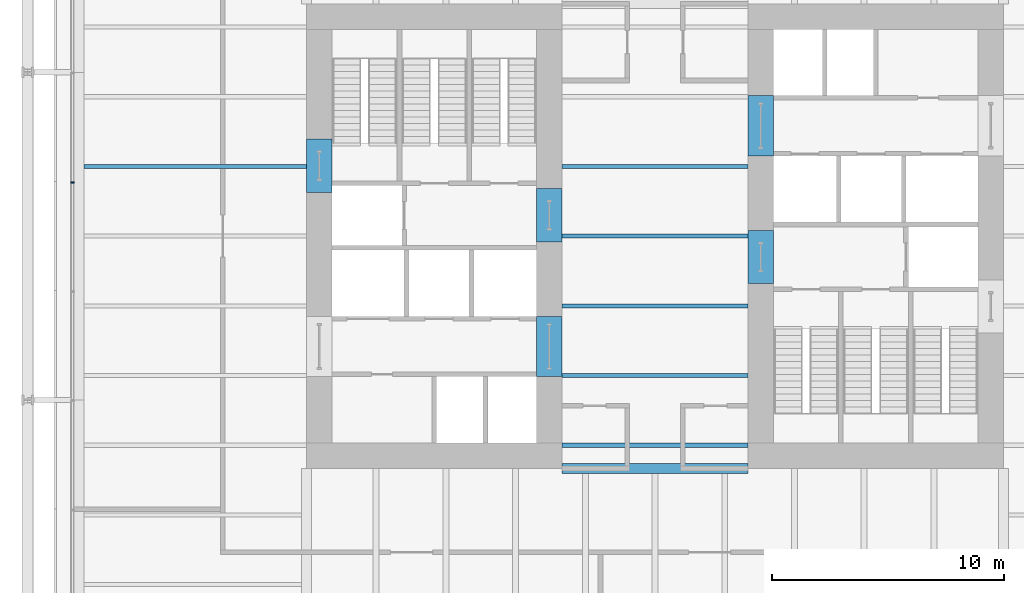
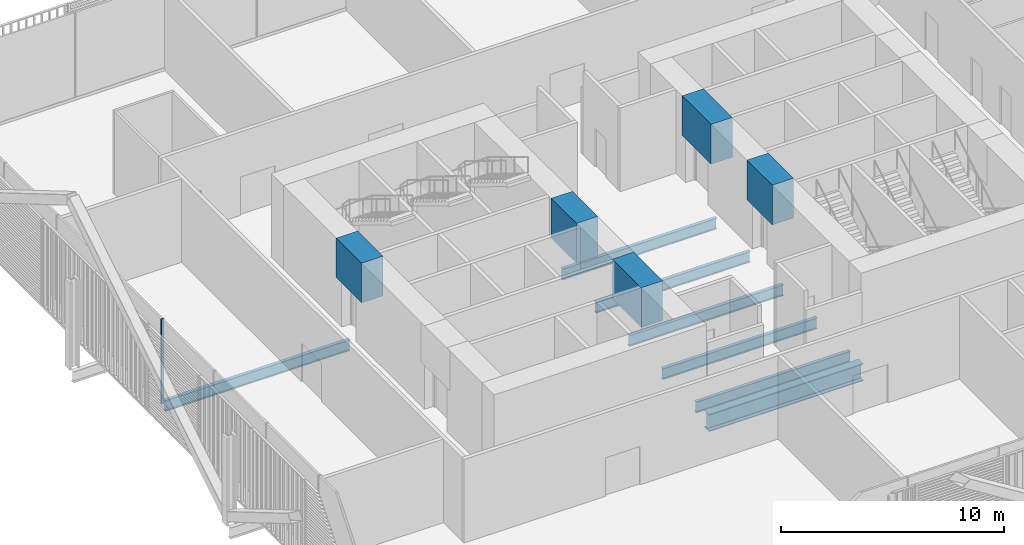
# One storey, part 7 of 22: 12 beams, 1 member, 1 element without a shape of its own.
"""IFC4 building model written with IfcOpenShell, lengths in metres."""

from ifc_helpers import new_model, si_unit, direction, frame, origin, origin_2d, place, context, subcontext, project, spatial, rectangle, i_section, extrude, material, layer, layer_set, material_profile, profile_set, type_object, element, aggregate, save


model = new_model("IFC4")

# Units and contexts
model_context = context("Model", 3, precision=1e-05, world=origin(), true_north=direction((0.0, 1.0)))
body_context = subcontext(model_context, "Body", "Model", "MODEL_VIEW")
ifc_project = project(units=[si_unit("LENGTHUNIT", "METRE"), si_unit("AREAUNIT", "SQUARE_METRE"), si_unit("VOLUMEUNIT", "CUBIC_METRE"), si_unit("PLANEANGLEUNIT", "RADIAN"), si_unit("MASSUNIT", "GRAM", prefix="KILO")], contexts=[model_context])

# Site, building, storey
site_placement = place(None, origin())
site = spatial("IfcSite", under=ifc_project, at=site_placement, CompositionType="ELEMENT")
building_placement = place(site_placement, origin())
building = spatial("IfcBuilding", under=site, at=building_placement, Name="Millrace Tower", CompositionType="ELEMENT")
storey_placement = place(building_placement, frame((0.0, 0.0, 44.89990234375)))
storey = spatial("IfcBuildingStorey", under=building, at=storey_placement, Name="L10", CompositionType="ELEMENT", Elevation=44.89990234375)

# Curtain wall, member
ifc_material_1 = material(Name="Aluminium and glass", Category="aluminium")
ifc_layer = layer(ifc_material_1, 0.14990234375)
ifc_layer_set = layer_set([ifc_layer], Name="Aluminium and glass")
curtain_wall_type = type_object("IfcCurtainWallType", Name="CW-2 data hall insulated curtain wall", PredefinedType="NOTDEFINED", material=ifc_layer_set)
curtain_wall_placement = place(storey_placement, origin())
curtain_wall = element("IfcCurtainWall", 1, at=curtain_wall_placement, inside=storey, type_object=curtain_wall_type, Name="Curtain wall A-F08 L10", PredefinedType="NOTDEFINED")
ifc_material_2 = material(Name="Aluminium", Category="aluminium")
ifc_material_profile_1 = material_profile(ifc_material_2, rectangle(XDim=0.06494140625, YDim=0.14990234375, at=origin_2d()))
ifc_profile_set_1 = profile_set([ifc_material_profile_1], Name="Aluminium")
member_type = type_object("IfcMemberType", Name="CW-2 data hall insulated curtain wall mullion", PredefinedType="MULLION", material=ifc_profile_set_1)
member_placement = place(storey_placement, frame((-25.074951171875, 2.3173828125, 0.16015625), z_axis=(0.0, 0.0, 1.0), x_axis=(0.0, -1.0, 0.0)))
member = element("IfcMember", 2, at=member_placement, type_object=member_type, Name="CW2 mullion A-F08.5", PredefinedType="MULLION", context=body_context, shape_type="SweptSolid", body=[
    extrude(rectangle(XDim=0.06494140625, YDim=0.14990234375, at=origin_2d()), origin(), (0.0, 0.0, 1.0), 4.639892578125),
])
aggregate(curtain_wall, [member])

# Beams
ifc_material_3 = material(Name="Concrete C80", Category="concrete")
ifc_material_profile_2 = material_profile(ifc_material_3, rectangle(XDim=1.10009765625, YDim=2.175048828125, at=origin_2d()))
ifc_profile_set_2 = profile_set([ifc_material_profile_2], Name="Concrete C80")
beam_type_1 = type_object("IfcBeamType", Name="Coupling beam 1100 x 2175 Concrete C80, 1300 opening", PredefinedType="BEAM", material=ifc_profile_set_2)
beam_1_placement = place(storey_placement, frame((-14.449951171875, 1.88818359375, 3.487548828125), z_axis=(0.0, 1.0, 0.0), x_axis=(-1.0, 0.0, 0.0)))
element("IfcBeam", 3, at=beam_1_placement, inside=storey, type_object=beam_type_1, Name="Coupling beam W L10", PredefinedType="BEAM", context=body_context, shape_type="SweptSolid", body=[
    extrude(rectangle(XDim=1.10009765625, YDim=2.175048828125, at=origin_2d()), origin(), (0.0, 0.0, 1.0), 2.28369140625),
])
for number, where, z_axis, x_axis, name in (
    (4, (-4.550048828125, -0.241943359375, 3.487548828125), (0.0, 1.0, 0.0), (-1.0, 0.0, 0.0), "Coupling beam W L10"),
    (5, (4.550048828125, 0.241943359375, 3.487548828125), (0.0, -1.0, 0.0), (1.0, 0.0, 0.0), "Coupling beam E L10"),
):
    element("IfcBeam", number, at=place(storey_placement, frame(where, z_axis=z_axis, x_axis=x_axis)), inside=storey, type_object=beam_type_1, Name=name, PredefinedType="BEAM", context=body_context, shape_type="SweptSolid", body=[
        extrude(rectangle(XDim=1.10009765625, YDim=2.175048828125, at=origin_2d()), origin(), (0.0, 0.0, 1.0), 2.283935546875),
    ])
ifc_material_4 = material(Name="Concrete C80", Category="concrete")
ifc_material_profile_3 = material_profile(ifc_material_4, rectangle(XDim=1.10009765625, YDim=2.175048828125, at=origin_2d()))
ifc_profile_set_3 = profile_set([ifc_material_profile_3], Name="Concrete C80")
beam_type_2 = type_object("IfcBeamType", Name="Coupling beam 1100 x 2175 Concrete C80, 2000 opening", PredefinedType="BEAM", material=ifc_profile_set_3)
for number, where, z_axis, x_axis, name in (
    (6, (-4.550048828125, -6.050048828125, 3.487548828125), (0.0, 1.0, 0.0), (-1.0, 0.0, 0.0), "Coupling beam W L10"),
    (7, (4.550048828125, 6.050048828125, 3.487548828125), (0.0, -1.0, 0.0), (1.0, 0.0, 0.0), "Coupling beam E L10"),
):
    element("IfcBeam", number, at=place(storey_placement, frame(where, z_axis=z_axis, x_axis=x_axis)), inside=storey, type_object=beam_type_2, Name=name, PredefinedType="BEAM", context=body_context, shape_type="SweptSolid", body=[
        extrude(rectangle(XDim=1.10009765625, YDim=2.175048828125, at=origin_2d()), origin(), (0.0, 0.0, 1.0), 2.60009765625),
    ])
ifc_material_5 = material(Name="Steel ASTM A992 Grade 50", Category="steel")
ifc_material_profile_4 = material_profile(ifc_material_5, i_section(OverallWidth=0.177978515625, OverallDepth=0.599365234375, WebThickness=0.010009765625, FlangeThickness=0.012939453125, FilletRadius=0.012939453125, at=origin_2d()))
ifc_profile_set_4 = profile_set([ifc_material_profile_4], Name="Steel ASTM A992 Grade 50")
beam_type_3 = type_object("IfcBeamType", Name="Floor beam W24x55", PredefinedType="JOIST", material=ifc_profile_set_4)
for number, where, z_axis, x_axis, name in (
    (8, (-4.0, -9.0, -0.524658203125), (1.0, 0.0, 0.0), (0.0, 1.0, 0.0), "BM-A-L10-S1-S011"),
    (9, (-4.0, -6.0, -0.524658203125), (1.0, 0.0, 0.0), (0.0, 1.0, 0.0), "BM-A-L10-S1-S014"),
    (10, (-4.0, -3.0, -0.524658203125), (1.0, 0.0, 0.0), (0.0, 1.0, 0.0), "BM-A-L10-S1-S017"),
    (11, (-4.0, 0.0, -0.524658203125), (1.0, 0.0, 0.0), (0.0, 1.0, 0.0), "BM-A-L10-S1-S020"),
    (12, (-4.0, 3.0, -0.524658203125), (1.0, 0.0, 0.0), (0.0, 1.0, 0.0), "BM-A-L10-S1-S023"),
):
    element("IfcBeam", number, at=place(storey_placement, frame(where, z_axis=z_axis, x_axis=x_axis)), inside=storey, type_object=beam_type_3, Name=name, PredefinedType="JOIST", context=body_context, shape_type="SweptSolid", body=[
        extrude(i_section(OverallWidth=0.177978515625, OverallDepth=0.599365234375, WebThickness=0.010009765625, FlangeThickness=0.012939453125, FilletRadius=0.012939453125, at=origin_2d()), origin(), (0.0, 0.0, 1.0), 8.0),
    ])
ifc_material_6 = material(Name="Steel ASTM A992 Grade 50", Category="steel")
ifc_material_profile_5 = material_profile(ifc_material_6, i_section(OverallWidth=0.1787109375, OverallDepth=0.60205078125, WebThickness=0.010986328125, FlangeThickness=0.014892578125, FilletRadius=0.0126953125, at=origin_2d()))
ifc_profile_set_5 = profile_set([ifc_material_profile_5], Name="Steel ASTM A992 Grade 50")
beam_type_4 = type_object("IfcBeamType", Name="Floor beam W24x62", PredefinedType="JOIST", material=ifc_profile_set_5)
beam_2_placement = place(storey_placement, frame((-24.578369140625, 3.0, -0.52587890625), z_axis=(1.0, 0.0, 0.0), x_axis=(0.0, 1.0, 0.0)))
element("IfcBeam", 13, at=beam_2_placement, inside=storey, type_object=beam_type_4, Name="BM-A-L10-S1-S024", PredefinedType="JOIST", context=body_context, shape_type="SweptSolid", body=[
    extrude(i_section(OverallWidth=0.1787109375, OverallDepth=0.60205078125, WebThickness=0.010986328125, FlangeThickness=0.014892578125, FilletRadius=0.0126953125, at=origin_2d()), origin(), (0.0, 0.0, 1.0), 9.578369140625),
])
ifc_material_7 = material(Name="Steel ASTM A992 Grade 50", Category="steel")
ifc_material_profile_6 = material_profile(ifc_material_7, i_section(OverallWidth=0.424072265625, OverallDepth=0.947509765625, WebThickness=0.02392578125, FlangeThickness=0.042724609375, FilletRadius=0.024169921875, at=origin_2d()))
ifc_profile_set_6 = profile_set([ifc_material_profile_6], Name="Steel ASTM A992 Grade 50")
beam_type_5 = type_object("IfcBeamType", Name="Girder short span W36x302", PredefinedType="BEAM", material=ifc_profile_set_6)
beam_3_placement = place(storey_placement, frame((-4.0, -10.0, -0.69873046875), z_axis=(1.0, 0.0, 0.0), x_axis=(0.0, 1.0, 0.0)))
element("IfcBeam", 14, at=beam_3_placement, inside=storey, type_object=beam_type_5, Name="BM-A-L10-S1-G065", PredefinedType="BEAM", context=body_context, shape_type="SweptSolid", body=[
    extrude(i_section(OverallWidth=0.424072265625, OverallDepth=0.947509765625, WebThickness=0.02392578125, FlangeThickness=0.042724609375, FilletRadius=0.024169921875, at=origin_2d()), origin(), (0.0, 0.0, 1.0), 8.0),
])

save(model, "model.ifc")
